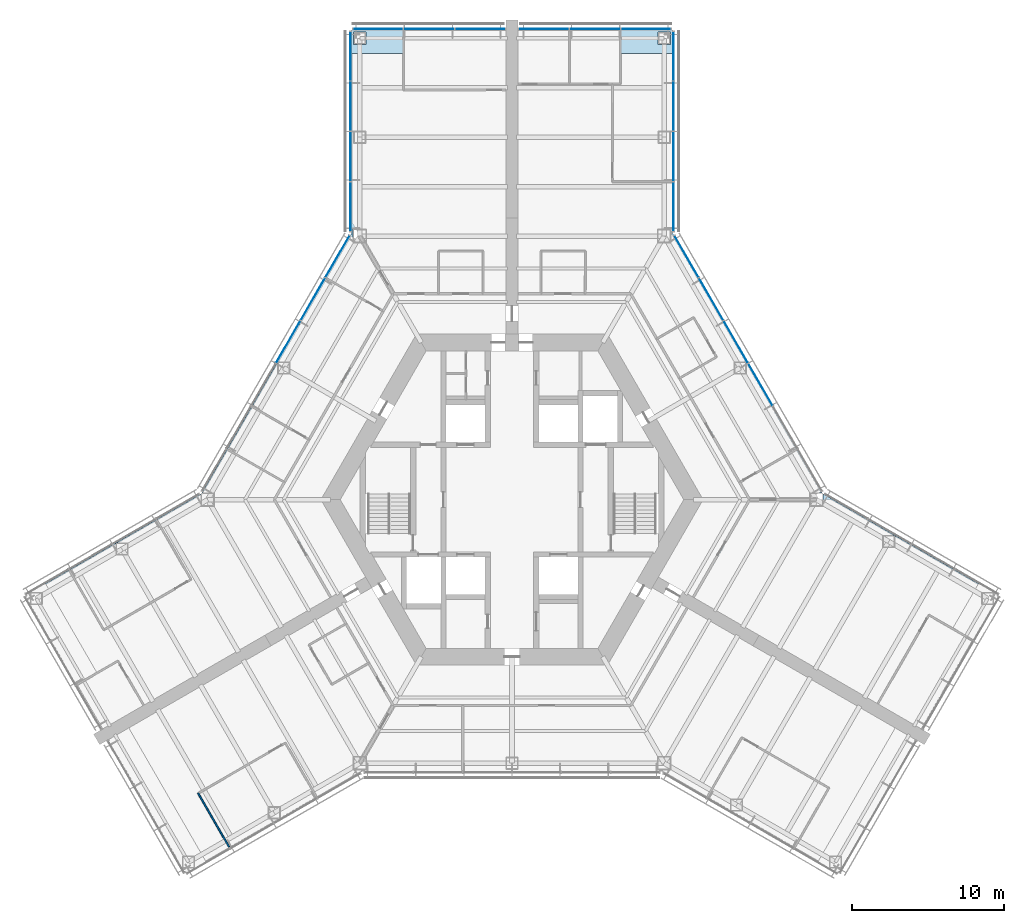
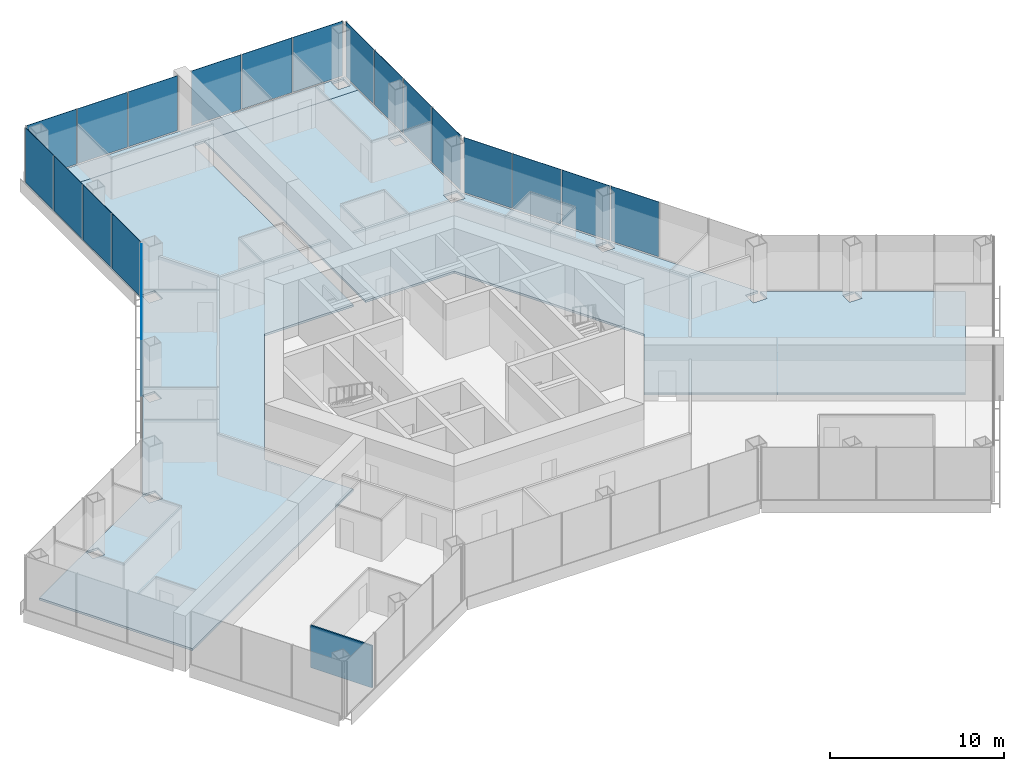
# One storey, part 11 of 18: 21 plates, 3 slabs, 1 wall, 6 elements without a shape of their own.
"""IFC4 building model written with IfcOpenShell, lengths in metres."""

from ifc_helpers import new_model, si_unit, direction, frame, frame_2d, origin, origin_2d, place, context, subcontext, project, spatial, polyline, rectangle, outline, extrude, material, layer, layer_set, type_object, element, aggregate, save


model = new_model("IFC4")

# Units and contexts
model_context = context("Model", 3, precision=1e-05, world=origin(), true_north=direction((0.0, 1.0)))
body_context = subcontext(model_context, "Body", "Model", "MODEL_VIEW")
ifc_project = project(units=[si_unit("LENGTHUNIT", "METRE"), si_unit("AREAUNIT", "SQUARE_METRE"), si_unit("VOLUMEUNIT", "CUBIC_METRE"), si_unit("PLANEANGLEUNIT", "RADIAN"), si_unit("MASSUNIT", "GRAM", prefix="KILO")], contexts=[model_context])

# Site, building, storey
site_placement = place(None, origin())
site = spatial("IfcSite", under=ifc_project, at=site_placement, CompositionType="ELEMENT")
building_placement = place(site_placement, origin())
building = spatial("IfcBuilding", under=site, at=building_placement, Name="Kasaneha Research Tower", CompositionType="ELEMENT")
storey_placement = place(building_placement, frame((0.0, 0.0, 76.800048828125)))
storey = spatial("IfcBuildingStorey", under=building, at=storey_placement, Name="L19", CompositionType="ELEMENT", Elevation=76.800048828125)

# Curtain wall, plates
ifc_material_1 = material(Name="Glass and aluminium", Category="aluminium")
curtain_wall_type = type_object("IfcCurtainWallType", Name="Low-rise office curtain wall", PredefinedType="USERDEFINED", material=ifc_material_1)
curtain_wall_1_placement = place(storey_placement, origin())
curtain_wall_1 = element("IfcCurtainWall", 1, at=curtain_wall_1_placement, inside=storey, type_object=curtain_wall_type, Name="CW-O1 L19 run 07a", ObjectType="UNITISED CURTAIN WALL", PredefinedType="USERDEFINED")
ifc_material_2 = material(Name="Laminated double glazing", Category="glass")
ifc_layer_1 = layer(ifc_material_2, 0.028076171875)
ifc_layer_set_1 = layer_set([ifc_layer_1], Name="CW-O1 glazed panel")
plate_type = type_object("IfcPlateType", Name="CW-O1 glazed panel", PredefinedType="CURTAIN_PANEL", material=ifc_layer_set_1)
plate_1_placement = place(storey_placement, frame((16.331298828125, 7.554443359375, 0.06005859375), z_axis=(0.0, 0.0, 1.0), x_axis=(-0.49999996188, 0.866025425793, 0.0)))
plate_1 = element("IfcPlate", 2, at=plate_1_placement, type_object=plate_type, Name="CW-O1 panel 3", PredefinedType="CURTAIN_PANEL", context=body_context, shape_type="SweptSolid", body=[
    extrude(rectangle(XDim=3.1865234375, YDim=0.028076171875, at=origin_2d()), origin(), (0.0, 0.0, 1.0), 3.840087890625),
])
plate_2_placement = place(storey_placement, frame((14.7080078125, 10.365966796875, 0.06005859375), z_axis=(0.0, 0.0, 1.0), x_axis=(-0.49999996188, 0.866025425793, 0.0)))
plate_2 = element("IfcPlate", 3, at=plate_2_placement, type_object=plate_type, Name="CW-O1 panel 4", PredefinedType="CURTAIN_PANEL", context=body_context, shape_type="SweptSolid", body=[
    extrude(rectangle(XDim=3.1865234375, YDim=0.028076171875, at=origin_2d()), origin(), (0.0, 0.0, 1.0), 3.840087890625),
])
plate_3_placement = place(storey_placement, frame((13.084716796875, 13.177490234375, 0.06005859375), z_axis=(0.0, 0.0, 1.0), x_axis=(-0.49999996188, 0.866025425793, 0.0)))
plate_3 = element("IfcPlate", 4, at=plate_3_placement, type_object=plate_type, Name="CW-O1 panel 5", PredefinedType="CURTAIN_PANEL", context=body_context, shape_type="SweptSolid", body=[
    extrude(rectangle(XDim=3.1865234375, YDim=0.028076171875, at=origin_2d()), origin(), (0.0, 0.0, 1.0), 3.840087890625),
])
plate_4_placement = place(storey_placement, frame((11.468994140625, 15.975830078125, 0.06005859375), z_axis=(0.0, 0.0, 1.0), x_axis=(-0.49999996188, 0.866025425793, 0.0)))
plate_4 = element("IfcPlate", 5, at=plate_4_placement, type_object=plate_type, Name="CW-O1 panel 6", PredefinedType="CURTAIN_PANEL", context=body_context, shape_type="SweptSolid", body=[
    extrude(rectangle(XDim=3.156494140625, YDim=0.028076171875, at=origin_2d()), origin(), (0.0, 0.0, 1.0), 3.840087890625),
])
aggregate(curtain_wall_1, [plate_1, plate_2, plate_3, plate_4])

curtain_wall_2_placement = place(storey_placement, origin())
curtain_wall_2 = element("IfcCurtainWall", 6, at=curtain_wall_2_placement, inside=storey, type_object=curtain_wall_type, Name="CW-O1 L19 run 08a", ObjectType="UNITISED CURTAIN WALL", PredefinedType="USERDEFINED")
plate_5_placement = place(storey_placement, frame((10.60009765625, 19.251220703125, 0.06005859375), z_axis=(0.0, 0.0, 1.0), x_axis=(0.0, 1.0, 0.0)))
plate_5 = element("IfcPlate", 7, at=plate_5_placement, type_object=plate_type, Name="CW-O1 panel 1", PredefinedType="CURTAIN_PANEL", context=body_context, shape_type="SweptSolid", body=[
    extrude(rectangle(XDim=3.2197265625, YDim=0.028076171875, at=origin_2d()), origin(), (0.0, 0.0, 1.0), 3.840087890625),
])
plate_6_placement = place(storey_placement, frame((10.60009765625, 22.5458984375, 0.06005859375), z_axis=(0.0, 0.0, 1.0), x_axis=(0.0, 1.0, 0.0)))
plate_6 = element("IfcPlate", 8, at=plate_6_placement, type_object=plate_type, Name="CW-O1 panel 2", PredefinedType="CURTAIN_PANEL", context=body_context, shape_type="SweptSolid", body=[
    extrude(rectangle(XDim=3.249755859375, YDim=0.028076171875, at=origin_2d()), origin(), (0.0, 0.0, 1.0), 3.840087890625),
])
plate_7_placement = place(storey_placement, frame((10.60009765625, 25.855712890625, 0.06005859375), z_axis=(0.0, 0.0, 1.0), x_axis=(0.0, 1.0, 0.0)))
plate_7 = element("IfcPlate", 9, at=plate_7_placement, type_object=plate_type, Name="CW-O1 panel 3", PredefinedType="CURTAIN_PANEL", context=body_context, shape_type="SweptSolid", body=[
    extrude(rectangle(XDim=3.249755859375, YDim=0.028076171875, at=origin_2d()), origin(), (0.0, 0.0, 1.0), 3.840087890625),
])
plate_8_placement = place(storey_placement, frame((10.60009765625, 29.150634765625, 0.06005859375), z_axis=(0.0, 0.0, 1.0), x_axis=(0.0, 1.0, 0.0)))
plate_8 = element("IfcPlate", 10, at=plate_8_placement, type_object=plate_type, Name="CW-O1 panel 4", PredefinedType="CURTAIN_PANEL", context=body_context, shape_type="SweptSolid", body=[
    extrude(rectangle(XDim=3.2197265625, YDim=0.028076171875, at=origin_2d()), origin(), (0.0, 0.0, 1.0), 3.840087890625),
])
aggregate(curtain_wall_2, [plate_5, plate_6, plate_7, plate_8])

curtain_wall_3_placement = place(storey_placement, origin())
curtain_wall_3 = element("IfcCurtainWall", 11, at=curtain_wall_3_placement, inside=storey, type_object=curtain_wall_type, Name="CW-O1 L19 run 09a", ObjectType="UNITISED CURTAIN WALL", PredefinedType="USERDEFINED")
plate_9_placement = place(storey_placement, frame((8.8017578125, 30.92041015625, 0.06005859375), z_axis=(0.0, 0.0, 1.0), x_axis=(-1.0, 0.0, 0.0)))
plate_9 = element("IfcPlate", 12, at=plate_9_placement, type_object=plate_type, Name="CW-O1 panel 1", PredefinedType="CURTAIN_PANEL", context=body_context, shape_type="SweptSolid", body=[
    extrude(rectangle(XDim=3.276611328125, YDim=0.028076171875, at=origin_2d()), origin(), (0.0, 0.0, 1.0), 3.840087890625),
])
plate_10_placement = place(storey_placement, frame((5.449951171875, 30.92041015625, 0.06005859375), z_axis=(0.0, 0.0, 1.0), x_axis=(-1.0, 0.0, 0.0)))
plate_10 = element("IfcPlate", 13, at=plate_10_placement, type_object=plate_type, Name="CW-O1 panel 2", PredefinedType="CURTAIN_PANEL", context=body_context, shape_type="SweptSolid", body=[
    extrude(rectangle(XDim=3.306640625, YDim=0.028076171875, at=origin_2d()), origin(), (0.0, 0.0, 1.0), 3.840087890625),
])
plate_11_placement = place(storey_placement, frame((2.098388671875, 30.92041015625, 0.06005859375), z_axis=(0.0, 0.0, 1.0), x_axis=(-1.0, 0.0, 0.0)))
plate_11 = element("IfcPlate", 14, at=plate_11_placement, type_object=plate_type, Name="CW-O1 panel 3", PredefinedType="CURTAIN_PANEL", context=body_context, shape_type="SweptSolid", body=[
    extrude(rectangle(XDim=3.276611328125, YDim=0.028076171875, at=origin_2d()), origin(), (0.0, 0.0, 1.0), 3.840087890625),
])
aggregate(curtain_wall_3, [plate_9, plate_10, plate_11])

curtain_wall_4_placement = place(storey_placement, origin())
curtain_wall_4 = element("IfcCurtainWall", 15, at=curtain_wall_4_placement, inside=storey, type_object=curtain_wall_type, Name="CW-O1 L19 run 10a", ObjectType="UNITISED CURTAIN WALL", PredefinedType="USERDEFINED")
plate_12_placement = place(storey_placement, frame((-2.098388671875, 30.92041015625, 0.06005859375), z_axis=(0.0, 0.0, 1.0), x_axis=(-1.0, 0.0, 0.0)))
plate_12 = element("IfcPlate", 16, at=plate_12_placement, type_object=plate_type, Name="CW-O1 panel 1", PredefinedType="CURTAIN_PANEL", context=body_context, shape_type="SweptSolid", body=[
    extrude(rectangle(XDim=3.276611328125, YDim=0.028076171875, at=origin_2d()), origin(), (0.0, 0.0, 1.0), 3.840087890625),
])
plate_13_placement = place(storey_placement, frame((-5.449951171875, 30.92041015625, 0.06005859375), z_axis=(0.0, 0.0, 1.0), x_axis=(-1.0, 0.0, 0.0)))
plate_13 = element("IfcPlate", 17, at=plate_13_placement, type_object=plate_type, Name="CW-O1 panel 2", PredefinedType="CURTAIN_PANEL", context=body_context, shape_type="SweptSolid", body=[
    extrude(rectangle(XDim=3.306640625, YDim=0.028076171875, at=origin_2d()), origin(), (0.0, 0.0, 1.0), 3.840087890625),
])
plate_14_placement = place(storey_placement, frame((-8.8017578125, 30.92041015625, 0.06005859375), z_axis=(0.0, 0.0, 1.0), x_axis=(-1.0, 0.0, 0.0)))
plate_14 = element("IfcPlate", 18, at=plate_14_placement, type_object=plate_type, Name="CW-O1 panel 3", PredefinedType="CURTAIN_PANEL", context=body_context, shape_type="SweptSolid", body=[
    extrude(rectangle(XDim=3.276611328125, YDim=0.028076171875, at=origin_2d()), origin(), (0.0, 0.0, 1.0), 3.840087890625),
])
aggregate(curtain_wall_4, [plate_12, plate_13, plate_14])

curtain_wall_5_placement = place(storey_placement, origin())
curtain_wall_5 = element("IfcCurtainWall", 19, at=curtain_wall_5_placement, inside=storey, type_object=curtain_wall_type, Name="CW-O1 L19 run 11a", ObjectType="UNITISED CURTAIN WALL", PredefinedType="USERDEFINED")
plate_15_placement = place(storey_placement, frame((-10.60009765625, 29.150634765625, 0.06005859375), z_axis=(0.0, 0.0, 1.0), x_axis=(0.0, -1.0, 0.0)))
plate_15 = element("IfcPlate", 20, at=plate_15_placement, type_object=plate_type, Name="CW-O1 panel 1", PredefinedType="CURTAIN_PANEL", context=body_context, shape_type="SweptSolid", body=[
    extrude(rectangle(XDim=3.2197265625, YDim=0.028076171875, at=origin_2d()), origin(), (0.0, 0.0, 1.0), 3.840087890625),
])
plate_16_placement = place(storey_placement, frame((-10.60009765625, 25.855712890625, 0.06005859375), z_axis=(0.0, 0.0, 1.0), x_axis=(0.0, -1.0, 0.0)))
plate_16 = element("IfcPlate", 21, at=plate_16_placement, type_object=plate_type, Name="CW-O1 panel 2", PredefinedType="CURTAIN_PANEL", context=body_context, shape_type="SweptSolid", body=[
    extrude(rectangle(XDim=3.249755859375, YDim=0.028076171875, at=origin_2d()), origin(), (0.0, 0.0, 1.0), 3.840087890625),
])
plate_17_placement = place(storey_placement, frame((-10.60009765625, 22.5458984375, 0.06005859375), z_axis=(0.0, 0.0, 1.0), x_axis=(0.0, -1.0, 0.0)))
plate_17 = element("IfcPlate", 22, at=plate_17_placement, type_object=plate_type, Name="CW-O1 panel 3", PredefinedType="CURTAIN_PANEL", context=body_context, shape_type="SweptSolid", body=[
    extrude(rectangle(XDim=3.249755859375, YDim=0.028076171875, at=origin_2d()), origin(), (0.0, 0.0, 1.0), 3.840087890625),
])
plate_18_placement = place(storey_placement, frame((-10.60009765625, 19.251220703125, 0.06005859375), z_axis=(0.0, 0.0, 1.0), x_axis=(0.0, -1.0, 0.0)))
plate_18 = element("IfcPlate", 23, at=plate_18_placement, type_object=plate_type, Name="CW-O1 panel 4", PredefinedType="CURTAIN_PANEL", context=body_context, shape_type="SweptSolid", body=[
    extrude(rectangle(XDim=3.2197265625, YDim=0.028076171875, at=origin_2d()), origin(), (0.0, 0.0, 1.0), 3.840087890625),
])
aggregate(curtain_wall_5, [plate_15, plate_16, plate_17, plate_18])

curtain_wall_6_placement = place(storey_placement, origin())
curtain_wall_6 = element("IfcCurtainWall", 24, at=curtain_wall_6_placement, inside=storey, type_object=curtain_wall_type, Name="CW-O1 L19 run 12a", ObjectType="UNITISED CURTAIN WALL", PredefinedType="USERDEFINED")
plate_19_placement = place(storey_placement, frame((-11.468994140625, 15.975830078125, 0.06005859375), z_axis=(0.0, 0.0, 1.0), x_axis=(-0.49999996188, -0.866025425793, 0.0)))
plate_19 = element("IfcPlate", 25, at=plate_19_placement, type_object=plate_type, Name="CW-O1 panel 1", PredefinedType="CURTAIN_PANEL", context=body_context, shape_type="SweptSolid", body=[
    extrude(rectangle(XDim=3.156494140625, YDim=0.028076171875, at=origin_2d()), origin(), (0.0, 0.0, 1.0), 3.840087890625),
])
plate_20_placement = place(storey_placement, frame((-13.084716796875, 13.177490234375, 0.06005859375), z_axis=(0.0, 0.0, 1.0), x_axis=(-0.49999996188, -0.866025425793, 0.0)))
plate_20 = element("IfcPlate", 26, at=plate_20_placement, type_object=plate_type, Name="CW-O1 panel 2", PredefinedType="CURTAIN_PANEL", context=body_context, shape_type="SweptSolid", body=[
    extrude(rectangle(XDim=3.1865234375, YDim=0.028076171875, at=origin_2d()), origin(), (0.0, 0.0, 1.0), 3.840087890625),
])
plate_21_placement = place(storey_placement, frame((-14.7080078125, 10.365966796875, 0.06005859375), z_axis=(0.0, 0.0, 1.0), x_axis=(-0.49999996188, -0.866025425793, 0.0)))
plate_21 = element("IfcPlate", 27, at=plate_21_placement, type_object=plate_type, Name="CW-O1 panel 3", PredefinedType="CURTAIN_PANEL", context=body_context, shape_type="SweptSolid", body=[
    extrude(rectangle(XDim=3.1865234375, YDim=0.028076171875, at=origin_2d()), origin(), (0.0, 0.0, 1.0), 3.840087890625),
])
aggregate(curtain_wall_6, [plate_19, plate_20, plate_21])

# Slabs
ifc_material_3 = material(Name="Concrete Fc24", Category="concrete")
ifc_layer_2 = layer(ifc_material_3, 0.14990234375)
ifc_layer_set_2 = layer_set([ifc_layer_2], Name="Floor slab 150")
slab_type = type_object("IfcSlabType", Name="Floor slab 150", PredefinedType="FLOOR", material=ifc_layer_set_2)
slab_1_placement = place(storey_placement, frame((0.0, 0.0, -0.150146484375)))
element("IfcSlab", 28, at=slab_1_placement, inside=storey, type_object=slab_type, Name="Floor slab L19 2", PredefinedType="FLOOR", context=body_context, shape_type="SweptSolid", body=[
    extrude(outline(polyline([(-20.375244140625, 0.449951171875), (-15.40771484375, 9.053955078125), (-15.400146484375, 9.046142578125), (-15.400146484375, 8.26025390625), (-14.599853515625, 8.26025390625), (-14.599853515625, 9.060302734375), (-15.385986328125, 9.060302734375), (-15.3974609375, 9.07177734375), (-10.550048828125, 17.4677734375), (-10.550048828125, 29.310546875), (-0.39990234375, 29.310546875), (-0.39990234375, 10.875), (-6.278564453125, 10.875), (-12.557373046875, 0.0), (-9.617919921875, -5.091064453125), (-25.583740234375, -14.308837890625), (-30.65869140625, -5.518798828125), (-26.040771484375, -2.8525390625), (-26.029296875, -2.864013671875), (-26.029296875, -3.650146484375), (-25.22900390625, -3.650146484375), (-25.22900390625, -2.849853515625), (-26.01513671875, -2.849853515625), (-26.02294921875, -2.84228515625), (-20.449951171875, 0.375244140625), (-20.449951171875, -0.449951171875), (-19.550048828125, -0.449951171875), (-19.550048828125, 0.449951171875), (-20.375244140625, 0.449951171875)]), holes=[polyline([(-9.550048828125, 17.7705078125), (-10.449951171875, 17.7705078125), (-10.449951171875, 16.87060546875), (-9.550048828125, 16.87060546875), (-9.550048828125, 17.7705078125)]), polyline([(-9.60009765625, 23.42041015625), (-9.60009765625, 24.220458984375), (-10.39990234375, 24.220458984375), (-10.39990234375, 23.42041015625), (-9.60009765625, 23.42041015625)])]), origin(), (0.0, 0.0, 1.0), 0.150146484375),
])
slab_2_placement = place(storey_placement, frame((0.0, 0.0, -0.150146484375)))
element("IfcSlab", 29, at=slab_2_placement, inside=storey, type_object=slab_type, Name="Floor slab L19 3", PredefinedType="FLOOR", context=body_context, shape_type="SweptSolid", body=[
    extrude(outline(polyline([(10.550048828125, 29.310546875), (0.39990234375, 29.310546875), (0.39990234375, 29.320556640625), (-0.39990234375, 29.320556640625), (-0.39990234375, 29.310546875), (-10.550048828125, 29.310546875), (-10.550048828125, 30.87060546875), (10.550048828125, 30.87060546875), (10.550048828125, 29.310546875)]), holes=[polyline([(-9.60009765625, 30.720458984375), (-10.39990234375, 30.720458984375), (-10.39990234375, 29.92041015625), (-9.60009765625, 29.92041015625), (-9.60009765625, 30.720458984375)]), polyline([(10.39990234375, 29.92041015625), (10.39990234375, 30.720458984375), (9.60009765625, 30.720458984375), (9.60009765625, 29.92041015625), (10.39990234375, 29.92041015625)])]), origin(), (0.0, 0.0, 1.0), 0.150146484375),
])
slab_3_placement = place(storey_placement, frame((0.0, 0.0, -0.150146484375)))
element("IfcSlab", 30, at=slab_3_placement, inside=storey, type_object=slab_type, Name="Floor slab L19 5", PredefinedType="FLOOR", context=body_context, shape_type="SweptSolid", body=[
    extrude(outline(polyline([(9.617919921875, -5.091064453125), (12.557373046875, 0.0), (6.278564453125, 10.875), (0.39990234375, 10.875), (0.39990234375, 29.310546875), (10.550048828125, 29.310546875), (10.550048828125, 17.4677734375), (15.3974609375, 9.07177734375), (15.385986328125, 9.060302734375), (14.599853515625, 9.060302734375), (14.599853515625, 8.26025390625), (15.400146484375, 8.26025390625), (15.400146484375, 9.046142578125), (15.40771484375, 9.053955078125), (20.375244140625, 0.449951171875), (19.550048828125, 0.449951171875), (19.550048828125, -0.449951171875), (20.449951171875, -0.449951171875), (20.449951171875, 0.375244140625), (25.15673828125, -2.34228515625), (25.149169921875, -2.349853515625), (24.363037109375, -2.349853515625), (24.363037109375, -3.150146484375), (25.163330078125, -3.150146484375), (25.163330078125, -2.364013671875), (25.1748046875, -2.3525390625), (30.65869140625, -5.518798828125), (25.583740234375, -14.308837890625), (9.617919921875, -5.091064453125)]), holes=[polyline([(10.449951171875, 16.87060546875), (10.449951171875, 17.7705078125), (9.550048828125, 17.7705078125), (9.550048828125, 16.87060546875), (10.449951171875, 16.87060546875)]), polyline([(10.39990234375, 23.42041015625), (10.39990234375, 24.220458984375), (9.60009765625, 24.220458984375), (9.60009765625, 23.42041015625), (10.39990234375, 23.42041015625)])]), origin(), (0.0, 0.0, 1.0), 0.150146484375),
])

# Wall
ifc_material_4 = material(Name="Gypsum board on steel studs, one layer each side", Category="steel")
ifc_layer_3 = layer(ifc_material_4, 0.10009765625)
ifc_layer_set_3 = layer_set([ifc_layer_3], Name="Office partition 100")
wall_type = type_object("IfcWallType", Name="Office partition 100", PredefinedType="PARTITIONING", material=ifc_layer_set_3)
wall_placement = place(storey_placement, frame((-18.5849609375, -22.831298828125, 0.0), z_axis=(0.0, 0.0, 1.0), x_axis=(-0.500000428765, 0.866025156237, 0.0)))
element("IfcWall", 31, at=wall_placement, inside=storey, type_object=wall_type, Name="Office partition FBS08 L19", PredefinedType="PARTITIONING", context=body_context, shape_type="SweptSolid", body=[
    extrude(rectangle(XDim=4.080078125, YDim=0.10009765625, at=frame_2d((2.0400390625, 0.0))), origin(), (0.0, 0.0, 1.0), 2.949951171875),
])

save(model, "model.ifc")
